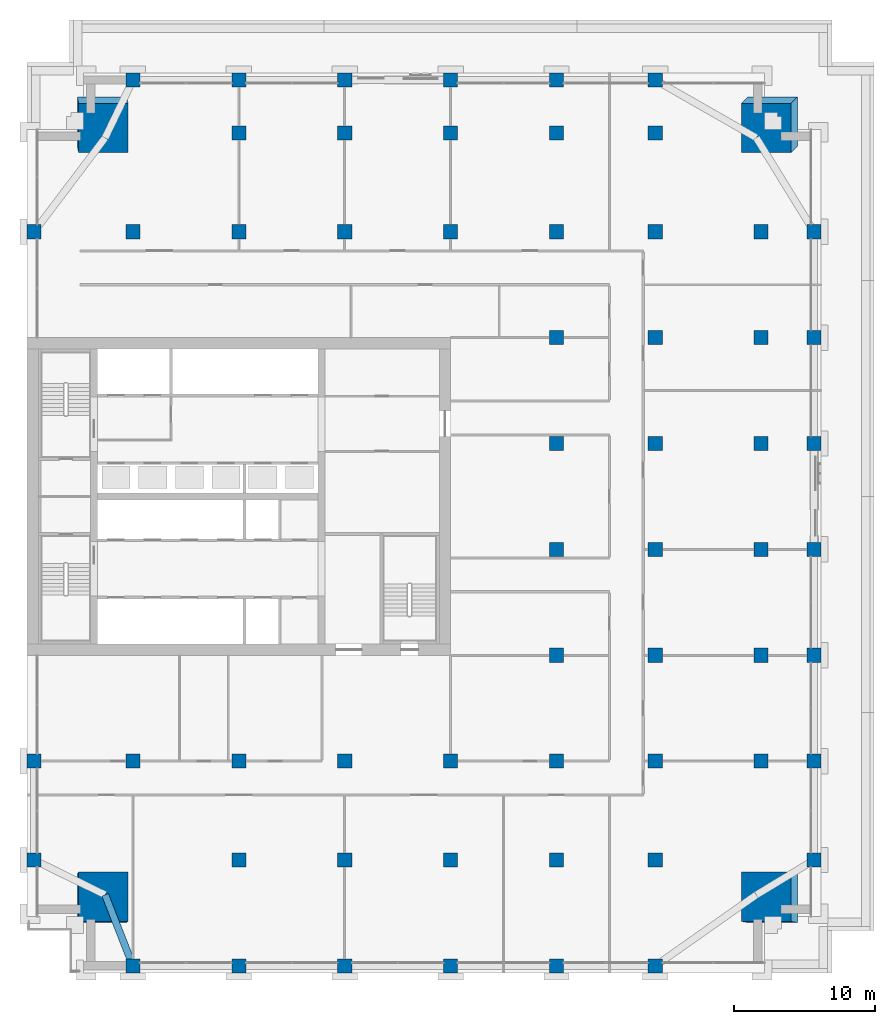
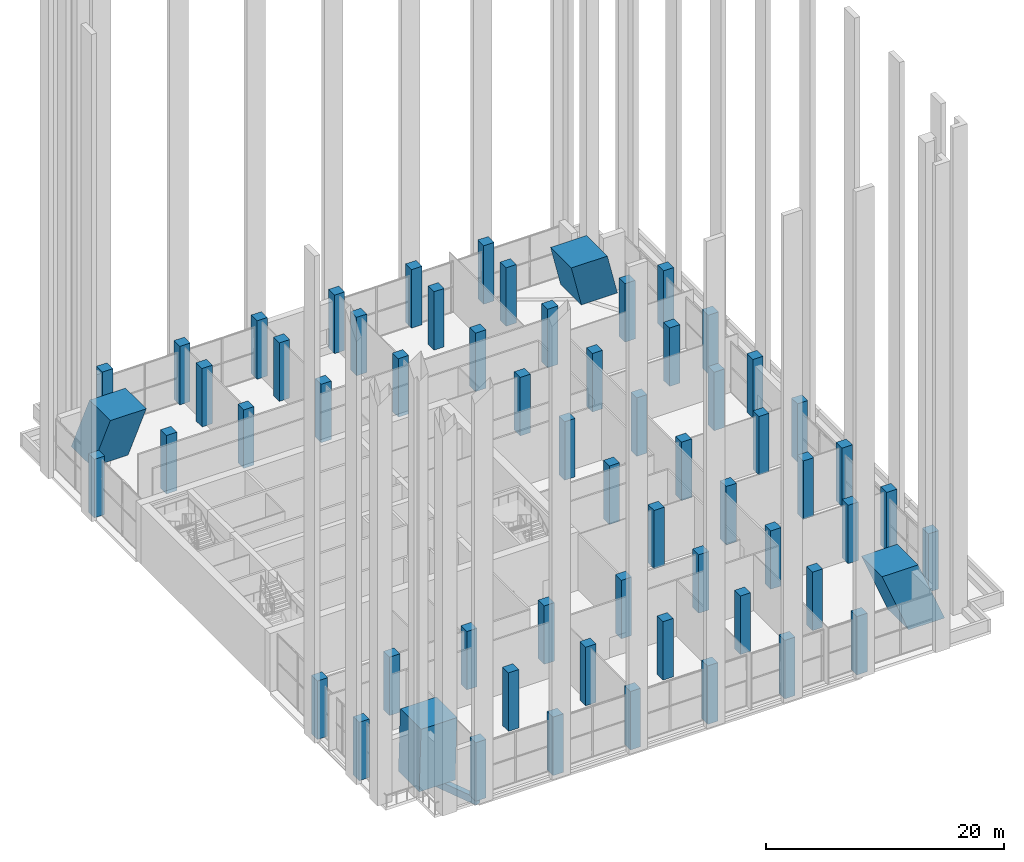
# One storey, part 1 of 23: 62 columns, 1 beam.
"""IFC4 building model written with IfcOpenShell, lengths in metres."""

from ifc_helpers import new_model, si_unit, direction, frame, origin, origin_2d, place, context, subcontext, project, spatial, rectangle, extrude, material, material_profile, profile_set, type_object, element, save


model = new_model("IFC4")

# Units and contexts
model_context = context("Model", 3, precision=1e-05, world=origin(), true_north=direction((0.0, 1.0)))
body_context = subcontext(model_context, "Body", "Model", "MODEL_VIEW")
ifc_project = project(units=[si_unit("LENGTHUNIT", "METRE"), si_unit("AREAUNIT", "SQUARE_METRE"), si_unit("VOLUMEUNIT", "CUBIC_METRE"), si_unit("PLANEANGLEUNIT", "RADIAN"), si_unit("MASSUNIT", "GRAM", prefix="KILO")], contexts=[model_context])

# Site, building, storey
site_placement = place(None, origin())
site = spatial("IfcSite", under=ifc_project, at=site_placement, CompositionType="ELEMENT")
building_placement = place(site_placement, origin())
building = spatial("IfcBuilding", under=site, at=building_placement, Name="Tamorin Gate", CompositionType="ELEMENT")
storey_placement = place(building_placement, frame((0.0, 0.0, 124.199951171875)))
storey = spatial("IfcBuildingStorey", under=building, at=storey_placement, Name="L30", CompositionType="ELEMENT", Elevation=124.199951171875)

# Columns
ifc_material_1 = material(Name="Concrete C70/85", Category="concrete")
ifc_material_profile_1 = material_profile(ifc_material_1, rectangle(XDim=1.0, YDim=1.0, at=origin_2d()), Name="RC 1000x1000")
ifc_profile_set_1 = profile_set([ifc_material_profile_1], Name="Concrete C70/85")
column_type_1 = type_object("IfcColumnType", Name="RC column 1000x1000 C70/85", PredefinedType="COLUMN", material=ifc_profile_set_1)
for number, where, z_axis, x_axis, name in (
    (1, (85.75, 45.5, 0.0), (0.0, 0.0, 1.0), (1.0, 0.0, 0.0), "Ring column L30"),
    (2, (85.75, 52.5, 0.0), (0.0, 0.0, 1.0), (1.0, 0.0, 0.0), "Ring column L30"),
    (3, (85.75, 60.0, 0.0), (0.0, 0.0, 1.0), (1.0, 0.0, 0.0), "Ring column L30"),
    (4, (85.75, 67.5, 0.0), (0.0, 0.0, 1.0), (1.0, 0.0, 0.0), "Ring column L30"),
    (5, (85.75, 75.0, 0.0), (0.0, 0.0, 1.0), (1.0, 0.0, 0.0), "Ring column L30"),
    (6, (85.75, 82.5, 0.0), (0.0, 0.0, 1.0), (1.0, 0.0, 0.0), "Ring column L30"),
    (7, (85.75, 90.0, 0.0), (0.0, 0.0, 1.0), (1.0, 0.0, 0.0), "Ring column L30"),
    (8, (37.5, 100.75, 0.0), (0.0, 0.0, 1.0), (1.0, 0.0, 0.0), "Ring column L30"),
    (9, (45.0, 100.75, 0.0), (0.0, 0.0, 1.0), (1.0, 0.0, 0.0), "Ring column L30"),
    (10, (52.5, 100.75, 0.0), (0.0, 0.0, 1.0), (1.0, 0.0, 0.0), "Ring column L30"),
    (11, (60.0, 100.75, 0.0), (0.0, 0.0, 1.0), (1.0, 0.0, 0.0), "Ring column L30"),
    (12, (67.5, 100.75, 0.0), (0.0, 0.0, 1.0), (1.0, 0.0, 0.0), "Ring column L30"),
    (13, (74.5, 100.75, 0.0), (0.0, 0.0, 1.0), (1.0, 0.0, 0.0), "Ring column L30"),
    (14, (30.5, 45.5, 0.0), (0.0, 0.0, 1.0), (1.0, 0.0, 0.0), "Ring column L30"),
    (15, (30.5, 52.5, 0.0), (0.0, 0.0, 1.0), (1.0, 0.0, 0.0), "Ring column L30"),
    (16, (30.5, 90.0, 0.0), (0.0, 0.0, 1.0), (1.0, 0.0, 0.0), "Ring column L30"),
    (17, (37.5, 38.0, 0.0), (0.0, 0.0, 1.0), (1.0, 0.0, 0.0), "Ring column L30"),
    (18, (37.5, 52.5, 0.0), (0.0, 0.0, 1.0), (1.0, 0.0, 0.0), "Interior column L30"),
    (19, (37.5, 90.0, 0.0), (0.0, 0.0, 1.0), (1.0, 0.0, 0.0), "Interior column L30"),
    (20, (45.0, 38.0, 0.0), (0.0, 0.0, 1.0), (1.0, 0.0, 0.0), "Ring column L30"),
    (21, (45.0, 45.5, 0.0), (0.0, 0.0, 1.0), (1.0, 0.0, 0.0), "Interior column L30"),
    (22, (45.0, 52.5, 0.0), (0.0, 0.0, 1.0), (1.0, 0.0, 0.0), "Interior column L30"),
    (23, (45.0, 90.0, 0.0), (0.0, 0.0, 1.0), (1.0, 0.0, 0.0), "Interior column L30"),
    (24, (45.0, 97.0, 0.0), (0.0, 0.0, 1.0), (1.0, 0.0, 0.0), "Interior column L30"),
    (25, (52.5, 38.0, 0.0), (0.0, 0.0, 1.0), (1.0, 0.0, 0.0), "Ring column L30"),
    (26, (52.5, 45.5, 0.0), (0.0, 0.0, 1.0), (1.0, 0.0, 0.0), "Interior column L30"),
    (27, (52.5, 52.5, 0.0), (0.0, 0.0, 1.0), (1.0, 0.0, 0.0), "Interior column L30"),
    (28, (52.5, 90.0, 0.0), (0.0, 0.0, 1.0), (1.0, 0.0, 0.0), "Interior column L30"),
    (29, (52.5, 97.0, 0.0), (0.0, 0.0, 1.0), (1.0, 0.0, 0.0), "Interior column L30"),
    (30, (60.0, 38.0, 0.0), (0.0, 0.0, 1.0), (1.0, 0.0, 0.0), "Ring column L30"),
    (31, (60.0, 45.5, 0.0), (0.0, 0.0, 1.0), (1.0, 0.0, 0.0), "Interior column L30"),
    (32, (60.0, 52.5, 0.0), (0.0, 0.0, 1.0), (1.0, 0.0, 0.0), "Interior column L30"),
    (33, (60.0, 90.0, 0.0), (0.0, 0.0, 1.0), (1.0, 0.0, 0.0), "Interior column L30"),
    (34, (60.0, 97.0, 0.0), (0.0, 0.0, 1.0), (1.0, 0.0, 0.0), "Interior column L30"),
    (35, (67.5, 38.0, 0.0), (0.0, 0.0, 1.0), (1.0, 0.0, 0.0), "Ring column L30"),
    (36, (67.5, 45.5, 0.0), (0.0, 0.0, 1.0), (1.0, 0.0, 0.0), "Interior column L30"),
    (37, (67.5, 52.5, 0.0), (0.0, 0.0, 1.0), (1.0, 0.0, 0.0), "Interior column L30"),
    (38, (67.5, 60.0, 0.0), (0.0, 0.0, 1.0), (1.0, 0.0, 0.0), "Interior column L30"),
    (39, (67.5, 67.5, 0.0), (0.0, 0.0, 1.0), (1.0, 0.0, 0.0), "Interior column L30"),
    (40, (67.5, 75.0, 0.0), (0.0, 0.0, 1.0), (1.0, 0.0, 0.0), "Interior column L30"),
    (41, (67.5, 82.5, 0.0), (0.0, 0.0, 1.0), (1.0, 0.0, 0.0), "Interior column L30"),
    (42, (67.5, 90.0, 0.0), (0.0, 0.0, 1.0), (1.0, 0.0, 0.0), "Interior column L30"),
    (43, (67.5, 97.0, 0.0), (0.0, 0.0, 1.0), (1.0, 0.0, 0.0), "Interior column L30"),
    (44, (74.5, 38.0, 0.0), (0.0, 0.0, 1.0), (1.0, 0.0, 0.0), "Ring column L30"),
    (45, (74.5, 45.5, 0.0), (0.0, 0.0, 1.0), (1.0, 0.0, 0.0), "Interior column L30"),
    (46, (74.5, 52.5, 0.0), (0.0, 0.0, 1.0), (1.0, 0.0, 0.0), "Interior column L30"),
    (47, (74.5, 60.0, 0.0), (0.0, 0.0, 1.0), (1.0, 0.0, 0.0), "Interior column L30"),
    (48, (74.5, 67.5, 0.0), (0.0, 0.0, 1.0), (1.0, 0.0, 0.0), "Interior column L30"),
    (49, (74.5, 75.0, 0.0), (0.0, 0.0, 1.0), (1.0, 0.0, 0.0), "Interior column L30"),
    (50, (74.5, 82.5, 0.0), (0.0, 0.0, 1.0), (1.0, 0.0, 0.0), "Interior column L30"),
    (51, (74.5, 90.0, 0.0), (0.0, 0.0, 1.0), (1.0, 0.0, 0.0), "Interior column L30"),
    (52, (74.5, 97.0, 0.0), (0.0, 0.0, 1.0), (1.0, 0.0, 0.0), "Interior column L30"),
    (53, (82.0, 52.5, 0.0), (0.0, 0.0, 1.0), (1.0, 0.0, 0.0), "Interior column L30"),
    (54, (82.0, 60.0, 0.0), (0.0, 0.0, 1.0), (1.0, 0.0, 0.0), "Interior column L30"),
    (55, (82.0, 67.5, 0.0), (0.0, 0.0, 1.0), (1.0, 0.0, 0.0), "Interior column L30"),
    (56, (82.0, 75.0, 0.0), (0.0, 0.0, 1.0), (1.0, 0.0, 0.0), "Interior column L30"),
    (57, (82.0, 82.5, 0.0), (0.0, 0.0, 1.0), (1.0, 0.0, 0.0), "Interior column L30"),
    (58, (82.0, 90.0, 0.0), (0.0, 0.0, 1.0), (1.0, 0.0, 0.0), "Interior column L30"),
):
    element("IfcColumn", number, at=place(storey_placement, frame(where, z_axis=z_axis, x_axis=x_axis)), inside=storey, type_object=column_type_1, Name=name, PredefinedType="COLUMN", context=body_context, shape_type="SweptSolid", body=[
        extrude(rectangle(XDim=1.0, YDim=1.0, at=origin_2d()), origin(), (0.0, 0.0, 1.0), 6.0),
    ])
ifc_material_profile_2 = material_profile(ifc_material_1, rectangle(XDim=3.5, YDim=3.5, at=origin_2d()), Name="RC 3500x3500")
ifc_profile_set_2 = profile_set([ifc_material_profile_2], Name="Concrete C70/85")
column_type_2 = type_object("IfcColumnType", Name="RC column 3500x3500 C70/85", PredefinedType="COLUMN", material=ifc_profile_set_2)
column_1_placement = place(storey_placement, frame((35.3125, 42.8125, 0.0), z_axis=(0.0, 0.0, 1.0), x_axis=(1.0, 0.0, 0.0)))
element("IfcColumn", 59, at=column_1_placement, inside=storey, type_object=column_type_2, Name="Mega column SW L30", PredefinedType="COLUMN", context=body_context, shape_type="SweptSolid", body=[
    extrude(rectangle(XDim=3.5, YDim=3.5, at=origin_2d()), origin(), (0.072532045149, 0.072532045149, 0.994725190619), 6.03173828125),
])
column_2_placement = place(storey_placement, frame((82.8125, 42.8125, 0.0), z_axis=(0.0, 0.0, 1.0), x_axis=(0.0, 1.0, 0.0)))
element("IfcColumn", 60, at=column_2_placement, inside=storey, type_object=column_type_2, Name="Mega column SE L30", PredefinedType="COLUMN", context=body_context, shape_type="SweptSolid", body=[
    extrude(rectangle(XDim=3.5, YDim=3.5, at=origin_2d()), origin(), (0.067881231398, 0.358800794531, 0.930942602026), 6.445068359375),
])
column_3_placement = place(storey_placement, frame((35.3125, 97.8125, 0.0), z_axis=(0.0, 0.0, 1.0), x_axis=(0.0, -1.0, 0.0)))
element("IfcColumn", 61, at=column_3_placement, inside=storey, type_object=column_type_2, Name="Mega column NW L30", PredefinedType="COLUMN", context=body_context, shape_type="SweptSolid", body=[
    extrude(rectangle(XDim=3.5, YDim=3.5, at=origin_2d()), origin(), (0.358800794531, 0.067881231398, 0.930942602026), 6.445068359375),
])
column_4_placement = place(storey_placement, frame((82.8125, 97.8125, 0.0), z_axis=(0.0, 0.0, 1.0), x_axis=(-1.0, 0.0, 0.0)))
element("IfcColumn", 62, at=column_4_placement, inside=storey, type_object=column_type_2, Name="Mega column NE L30", PredefinedType="COLUMN", context=body_context, shape_type="SweptSolid", body=[
    extrude(rectangle(XDim=3.5, YDim=3.5, at=origin_2d()), origin(), (0.338411488605, 0.338411488605, 0.878040619083), 6.83349609375),
])

# Beam
ifc_material_2 = material(Name="Concrete C50/60", Category="concrete")
ifc_material_profile_3 = material_profile(ifc_material_2, rectangle(XDim=0.5, YDim=0.75, at=origin_2d()), Name="RC 500x750")
ifc_profile_set_3 = profile_set([ifc_material_profile_3], Name="Concrete C50/60")
beam_type = type_object("IfcBeamType", Name="RC spandrel 500x750 C50/60", PredefinedType="BEAM", material=ifc_profile_set_3)
beam_placement = place(storey_placement, frame((35.53125, 43.03125, -0.375), z_axis=(0.364399348581, -0.931242779706, 0.0), x_axis=(0.931242779706, 0.364399348581, 0.0)))
element("IfcBeam", 63, at=beam_placement, inside=storey, type_object=beam_type, Name="Corner tie beam L30", PredefinedType="BEAM", context=body_context, shape_type="SweptSolid", body=[
    extrude(rectangle(XDim=0.5, YDim=0.75, at=origin_2d()), origin(), (0.0, 0.0, 1.0), 5.40283203125),
])

save(model, "model.ifc")
